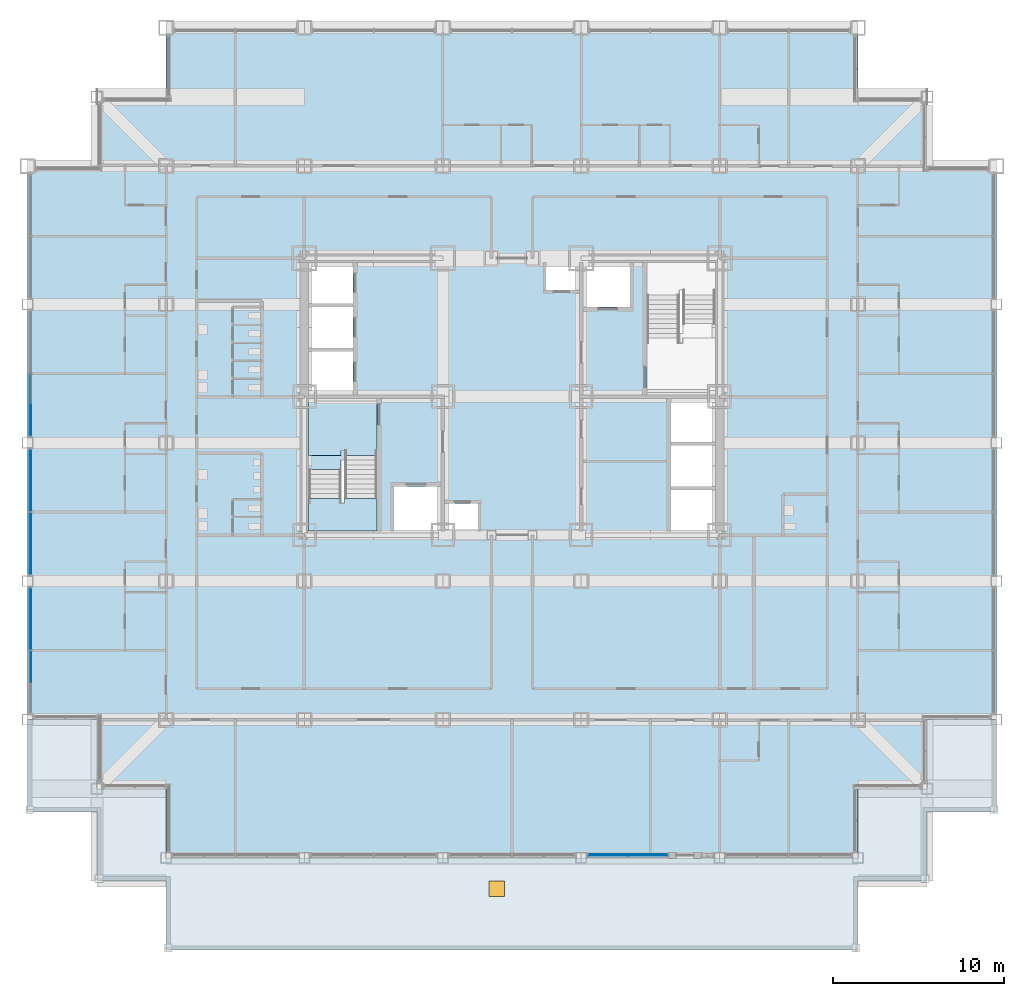
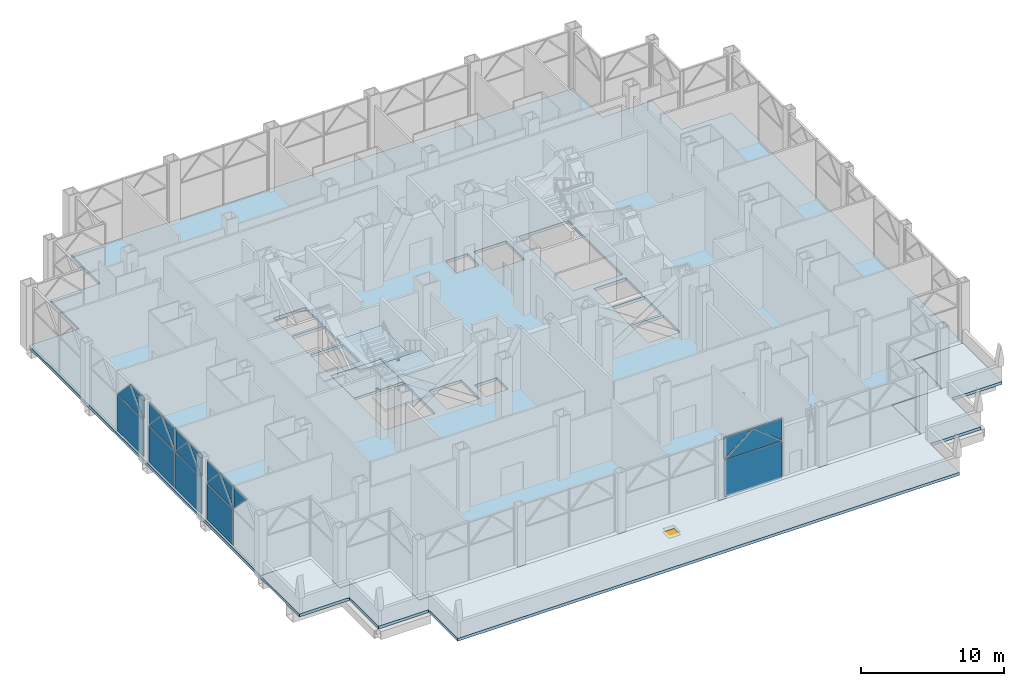
# One storey, part 11 of 26: 20 plates, 6 slabs, 1 window, 1 opening, 5 elements without a shape of their own.
"""IFC4 building model written with IfcOpenShell, lengths in metres."""

import ifcopenshell
import ifcopenshell.guid

model = None  # the IFC model being written
_history = None  # IfcOwnerHistory: only IFC2X3 demands one
_inside = {}  # id of a spatial element -> (the spatial element, [elements in it])
_under = {}  # id of a project, library or spatial element -> (it, [spatial elements below it])
_declared = {}  # id of a project -> (the project, [libraries it declares])
_typed = {}  # id of a type object -> (the type object, [elements of that type])
_made_of = {}  # id of a material, layer set ... -> (it, [elements and type objects made of it])


def new_model(schema):
    """Start an empty IFC model of exactly this schema.

    Asked for "IFC4X3", IfcOpenShell would pick the latest addendum, in which some entities
    have other attributes; the version numbers below select the first issue.
    IFC2X3 requires an IfcOwnerHistory on every rooted entity: one is made here for all.
    """
    global model, _history
    if schema == "IFC4X3":
        model = ifcopenshell.file(schema_version=(4, 3, 0, 0))
    else:
        model = ifcopenshell.file(schema=schema)
    _inside.clear()
    _under.clear()
    _declared.clear()
    _typed.clear()
    _made_of.clear()
    _history = None
    if model.schema == "IFC2X3":
        org = make("IfcOrganization", Name="unknown")
        user = make(
            "IfcPersonAndOrganization",
            ThePerson=make("IfcPerson", FamilyName="unknown"),
            TheOrganization=org,
        )
        app = make(
            "IfcApplication",
            ApplicationDeveloper=org,
            Version="unknown",
            ApplicationFullName="unknown",
            ApplicationIdentifier="unknown",
        )
        _history = make(
            "IfcOwnerHistory",
            OwningUser=user,
            OwningApplication=app,
            ChangeAction="ADDED",
            CreationDate=0,
        )
    return model


def make(cls, **values):
    """One entity of the class cls with the attributes given. An attribute that is None is left unset."""
    return model.create_entity(
        cls, **{name: value for name, value in values.items() if value is not None}
    )


def rooted(cls, **values):
    """An entity with a GlobalId (a new one), such as an element, a storey or a relation."""
    return make(cls, GlobalId=ifcopenshell.guid.new(), OwnerHistory=_history, **values)


def si_unit(unit_type, name, prefix=None):
    """IfcSIUnit, for example si_unit("LENGTHUNIT", "METRE", prefix="MILLI")."""
    return make("IfcSIUnit", UnitType=unit_type, Prefix=prefix, Name=name)


def assignment(units):
    """IfcUnitAssignment: the units of a project."""
    return None if units is None else make("IfcUnitAssignment", Units=units)


def point(xyz):
    """IfcCartesianPoint."""
    return None if xyz is None else make("IfcCartesianPoint", Coordinates=xyz)


def direction(xyz):
    """IfcDirection."""
    return None if xyz is None else make("IfcDirection", DirectionRatios=xyz)


def frame(location, z_axis=None, x_axis=None):
    """IfcAxis2Placement3D, a coordinate frame: its origin and axes. An axis left out is left unset."""
    return make(
        "IfcAxis2Placement3D",
        Location=point(location),
        Axis=direction(z_axis),
        RefDirection=direction(x_axis),
    )


def frame_2d(location, x_axis=None):
    """IfcAxis2Placement2D, a coordinate frame in the plane: its origin and x axis."""
    return make(
        "IfcAxis2Placement2D", Location=point(location), RefDirection=direction(x_axis)
    )


def origin():
    """The frame at (0, 0, 0) with its axes left unset."""
    return frame((0.0, 0.0, 0.0))


def origin_2d():
    """The frame at (0, 0) in the plane with its x axis left unset."""
    return frame_2d((0.0, 0.0))


def place(relative_to, where):
    """IfcLocalPlacement: puts the frame where relative to a parent placement (None: the world)."""
    return make(
        "IfcLocalPlacement", PlacementRelTo=relative_to, RelativePlacement=where
    )


def context(
    kind, dimensions, precision=None, world=None, true_north=None, identifier=None
):
    """IfcGeometricRepresentationContext, for example the 3D "Model" context."""
    return make(
        "IfcGeometricRepresentationContext",
        ContextIdentifier=identifier,
        ContextType=kind,
        CoordinateSpaceDimension=dimensions,
        Precision=precision,
        WorldCoordinateSystem=world,
        TrueNorth=true_north,
    )


def subcontext(parent, identifier, kind, view, scale=None):
    """IfcGeometricRepresentationSubContext, for example "Body" below "Model"."""
    return make(
        "IfcGeometricRepresentationSubContext",
        ContextIdentifier=identifier,
        ContextType=kind,
        ParentContext=parent,
        TargetScale=scale,
        TargetView=view,
    )


def project(units=None, contexts=None):
    """IfcProject with its units and contexts."""
    return rooted(
        "IfcProject",
        Name="project",
        RepresentationContexts=contexts,
        UnitsInContext=assignment(units),
    )


def spatial(cls, under=None, at=None, **own):
    """A site, building, storey or space (cls), placed at a placement, below another one or the project."""
    s = rooted(cls, ObjectPlacement=at, **own)
    if under is not None:
        _under.setdefault(under.id(), (under, []))[1].append(s)
    return s


def polyline(points):
    """IfcPolyline through the points."""
    return make("IfcPolyline", Points=[point(p) for p in points])


def profile(cls, at=None, kind="AREA", **sizes):
    """A parametric profile (cls). Its sizes go by their IFC names, for example OverallWidth=200.0."""
    return make(cls, ProfileType=kind, Position=at, **sizes)


def rectangle(**sizes):
    """IfcRectangleProfileDef."""
    return profile("IfcRectangleProfileDef", **sizes)


def outline(outer, holes=None, kind="AREA"):
    """IfcArbitraryClosedProfileDef: a profile drawn as a closed curve; with holes, ...WithVoids."""
    if holes is None:
        return make("IfcArbitraryClosedProfileDef", ProfileType=kind, OuterCurve=outer)
    return make(
        "IfcArbitraryProfileDefWithVoids",
        ProfileType=kind,
        OuterCurve=outer,
        InnerCurves=holes,
    )


def extrude(swept, where, along, depth):
    """IfcExtrudedAreaSolid: the profile swept, set in the frame where, extruded along a direction by depth."""
    return make(
        "IfcExtrudedAreaSolid",
        SweptArea=swept,
        Position=where,
        ExtrudedDirection=direction(along),
        Depth=depth,
    )


def shape(context_of_items, identifier, shape_type, items):
    """IfcShapeRepresentation: the items that make up one representation, for example the "Body"."""
    return make(
        "IfcShapeRepresentation",
        ContextOfItems=context_of_items,
        RepresentationIdentifier=identifier,
        RepresentationType=shape_type,
        Items=items,
    )


def material(Name=None, Category=None):
    """IfcMaterial."""
    return make("IfcMaterial", Name=Name, Category=Category)


def layer(
    of_material, thickness, ventilated=None, Name=None, Category=None, Priority=None
):
    """IfcMaterialLayer: one layer of a wall or slab, of a material (None: an air gap)."""
    return make(
        "IfcMaterialLayer",
        Material=of_material,
        LayerThickness=thickness,
        IsVentilated=ventilated,
        Name=Name,
        Category=Category,
        Priority=Priority,
    )


def layer_set(layers, Name=None):
    """IfcMaterialLayerSet."""
    return make("IfcMaterialLayerSet", MaterialLayers=layers, LayerSetName=Name)


def made_of(thing, what):
    """Note that an element or type object is made of a material, layer set ...; save() writes the relation."""
    if what is not None:
        _made_of.setdefault(what.id(), (what, []))[1].append(thing)
    return thing


def type_object(cls, material=None, **own):
    """A type object (cls), such as IfcWallType, which elements share."""
    return made_of(rooted(cls, **own), material)


def element(
    cls,
    number,
    at=None,
    inside=None,
    cuts=None,
    type_object=None,
    material=None,
    context=None,
    identifier="Body",
    shape_type=None,
    held_by="IfcProductDefinitionShape",
    body=None,
    shapes=None,
    **own,
):
    """One element of the class cls, such as IfcWall. Its Tag is "e" and its number.

    at: its placement. inside: the storey or other place that contains it. cuts: it is an
    opening in that element (IfcRelVoidsElement). A single representation is given by context,
    identifier, shape_type and body (its items); several are given by shapes. held_by: the class
    of the entity that holds the representations. save() writes the other relations.
    """
    e = rooted(cls, Tag="e%d" % number, ObjectPlacement=at, **own)
    if body is not None:
        shapes = [shape(context, identifier, shape_type, body)]
    if shapes is not None:
        e.Representation = make(held_by, Representations=shapes)
    if inside is not None:
        _inside.setdefault(inside.id(), (inside, []))[1].append(e)
    if cuts is not None:
        rooted(
            "IfcRelVoidsElement", RelatingBuildingElement=cuts, RelatedOpeningElement=e
        )
    if type_object is not None:
        _typed.setdefault(type_object.id(), (type_object, []))[1].append(e)
    return made_of(e, material)


def fill(opening, filler):
    """IfcRelFillsElement: the door or window that sits in an opening."""
    return rooted(
        "IfcRelFillsElement",
        RelatingOpeningElement=opening,
        RelatedBuildingElement=filler,
    )


def aggregate(whole, parts):
    """IfcRelAggregates: a whole, such as a stair, and the parts it consists of."""
    return rooted("IfcRelAggregates", RelatingObject=whole, RelatedObjects=parts)


def save(model, path):
    """Write the relations noted so far, then the file.

    IfcRelAggregates (storeys below a building ...), IfcRelContainedInSpatialStructure (elements
    in a storey), IfcRelDefinesByType, IfcRelAssociatesMaterial and IfcRelDeclares: one each for
    every whole, place, type object, material and project.
    """
    for whole, parts in _under.values():
        aggregate(whole, parts)
    for where, things in _inside.values():
        rooted(
            "IfcRelContainedInSpatialStructure",
            RelatedElements=things,
            RelatingStructure=where,
        )
    for kind, things in _typed.values():
        rooted("IfcRelDefinesByType", RelatedObjects=things, RelatingType=kind)
    for what, things in _made_of.values():
        rooted("IfcRelAssociatesMaterial", RelatedObjects=things, RelatingMaterial=what)
    for by, libraries in _declared.values():
        rooted("IfcRelDeclares", RelatingContext=by, RelatedDefinitions=libraries)
    model.write(path)


model = new_model("IFC4")

# Units and contexts
model_context = context("Model", 3, precision=1e-05, world=origin(), true_north=direction((0.0, 1.0)))
body_context = subcontext(model_context, "Body", "Model", "MODEL_VIEW")
ifc_project = project(units=[si_unit("LENGTHUNIT", "METRE"), si_unit("AREAUNIT", "SQUARE_METRE"), si_unit("VOLUMEUNIT", "CUBIC_METRE"), si_unit("PLANEANGLEUNIT", "RADIAN"), si_unit("MASSUNIT", "GRAM", prefix="KILO")], contexts=[model_context])

# Site, building, storey
site_placement = place(None, origin())
site = spatial("IfcSite", under=ifc_project, at=site_placement, CompositionType="ELEMENT")
building_placement = place(site_placement, origin())
building = spatial("IfcBuilding", under=site, at=building_placement, Name="Kopane Lantern Tower", CompositionType="ELEMENT")
storey_placement = place(building_placement, frame((0.0, 0.0, 98.0)))
storey = spatial("IfcBuildingStorey", under=building, at=storey_placement, Name="L24", CompositionType="ELEMENT", Elevation=98.0)

# Curtain wall, plates
ifc_material_1 = material(Name="Aluminium and clear glass", Category="aluminium")
curtain_wall_type = type_object("IfcCurtainWallType", Name="CURTAIN WALL CW3 SKY LOBBY", PredefinedType="USERDEFINED", material=ifc_material_1)
curtain_wall_1_placement = place(storey_placement, origin())
curtain_wall_1 = element("IfcCurtainWall", 1, at=curtain_wall_1_placement, inside=storey, type_object=curtain_wall_type, Name="Curtain wall CW3 S L24", ObjectType="CURTAIN WALL", PredefinedType="USERDEFINED")
ifc_material_2 = material(Name="Insulated clear glass unit", Category="glass")
ifc_layer_1 = layer(ifc_material_2, 0.033935546875)
ifc_layer_set_1 = layer_set([ifc_layer_1], Name="CURTAIN PANEL CW3-P 34")
plate_type = type_object("IfcPlateType", Name="CURTAIN PANEL CW3-P 34", PredefinedType="CURTAIN_PANEL", material=ifc_layer_set_1)
plate_1_placement = place(storey_placement, frame((35.12744140625, 5.550048828125, 0.070068359375), z_axis=(0.0, 0.0, 1.0), x_axis=(1.0, 0.0, 0.0)))
plate_1 = element("IfcPlate", 2, at=plate_1_placement, type_object=plate_type, Name="CW3 panel 1.1", PredefinedType="CURTAIN_PANEL", context=body_context, shape_type="SweptSolid", body=[
    extrude(rectangle(XDim=4.655029296875, YDim=0.033935546875, at=origin_2d()), origin(), (0.0, 0.0, 1.0), 3.0849609375),
])
plate_2_placement = place(storey_placement, frame((32.800048828125, 5.550048828125, 3.22509765625), z_axis=(0.0, 0.0, 1.0), x_axis=(1.0, 0.0, 0.0)))
plate_2 = element("IfcPlate", 3, at=plate_2_placement, type_object=plate_type, Name="CW3 lancet panel 1", PredefinedType="CURTAIN_PANEL", context=body_context, shape_type="SweptSolid", body=[
    extrude(outline(polyline([(0.0, 0.0), (4.655029296875, 0.0), (4.655029296875, 0.0009765625), (2.327392578125, 1.875732421875), (0.0, 0.0009765625), (0.0, 0.0)])), frame((0.0, 0.01708984375, 0.0), z_axis=(0.0, -1.0, 0.0), x_axis=(1.0, 0.0, 0.0)), (0.0, 0.0, 1.0), 0.033935546875),
])
plate_3_placement = place(storey_placement, frame((32.800048828125, 5.5859375, 5.1201171875), z_axis=(0.0, 0.0, 1.0), x_axis=(1.0, 0.0, 0.0)))
plate_3 = element("IfcPlate", 4, at=plate_3_placement, type_object=plate_type, Name="CW3 spandrel panel 1L", PredefinedType="CURTAIN_PANEL", context=body_context, shape_type="SweptSolid", body=[
    extrude(outline(polyline([(0.0, 0.0), (2.327392578125, 0.0), (2.327392578125, -0.001220703125), (0.0, -1.840576171875), (0.0, 0.0)])), frame((0.0, 0.01708984375, 0.0), z_axis=(0.0, -1.0, 0.0), x_axis=(1.0, 0.0, 0.0)), (0.0, 0.0, 1.0), 0.033935546875),
])
plate_4_placement = place(storey_placement, frame((37.455078125, 5.5859375, 5.1201171875), z_axis=(0.0, 0.0, 1.0), x_axis=(-1.0, 0.0, 0.0)))
plate_4 = element("IfcPlate", 5, at=plate_4_placement, type_object=plate_type, Name="CW3 spandrel panel 1R", PredefinedType="CURTAIN_PANEL", context=body_context, shape_type="SweptSolid", body=[
    extrude(outline(polyline([(0.0, 0.0), (2.32763671875, 0.0), (2.327392578125, -0.001220703125), (0.0, -1.840576171875), (0.0, 0.0)])), frame((0.0, 0.01708984375, 0.0), z_axis=(0.0, -1.0, 0.0), x_axis=(1.0, 0.0, 0.0)), (0.0, 0.0, 1.0), 0.033935546875),
])
aggregate(curtain_wall_1, [plate_1, plate_2, plate_3, plate_4])

curtain_wall_2_placement = place(storey_placement, origin())
curtain_wall_2 = element("IfcCurtainWall", 6, at=curtain_wall_2_placement, inside=storey, type_object=curtain_wall_type, Name="Curtain wall CW3 W L24", ObjectType="CURTAIN WALL", PredefinedType="USERDEFINED")
plate_5_placement = place(storey_placement, frame((0.14990234375, 31.907470703125, 0.070068359375), z_axis=(0.0, 0.0, 1.0), x_axis=(0.0, -1.0, 0.0)))
plate_5 = element("IfcPlate", 7, at=plate_5_placement, type_object=plate_type, Name="CW3 panel 2.1", PredefinedType="CURTAIN_PANEL", context=body_context, shape_type="SweptSolid", body=[
    extrude(rectangle(XDim=3.614990234375, YDim=0.033935546875, at=origin_2d()), origin(), (0.0, 0.0, 1.0), 3.0849609375),
])
plate_6_placement = place(storey_placement, frame((0.14990234375, 33.715087890625, 3.22509765625), z_axis=(0.0, 0.0, 1.0), x_axis=(0.0, -1.0, 0.0)))
plate_6 = element("IfcPlate", 8, at=plate_6_placement, type_object=plate_type, Name="CW3 lancet panel 2", PredefinedType="CURTAIN_PANEL", context=body_context, shape_type="SweptSolid", body=[
    extrude(outline(polyline([(0.0, 0.0), (3.614990234375, 0.0), (3.614990234375, 0.0009765625), (1.8076171875, 1.89990234375), (0.0, 0.0009765625), (0.0, 0.0)])), frame((0.0, 0.01708984375, 0.0), z_axis=(0.0, -1.0, 0.0), x_axis=(1.0, 0.0, 0.0)), (0.0, 0.0, 1.0), 0.033935546875),
])
plate_7_placement = place(storey_placement, frame((0.18603515625, 30.10009765625, 5.1201171875), z_axis=(0.0, 0.0, 1.0), x_axis=(0.0, 1.0, 0.0)))
plate_7 = element("IfcPlate", 9, at=plate_7_placement, type_object=plate_type, Name="CW3 spandrel panel 2R", PredefinedType="CURTAIN_PANEL", context=body_context, shape_type="SweptSolid", body=[
    extrude(outline(polyline([(0.0, 0.0), (1.807373046875, 0.0), (1.8076171875, -0.001220703125), (0.0, -1.846923828125), (0.0, 0.0)])), frame((0.0, 0.01708984375, 0.0), z_axis=(0.0, -1.0, 0.0), x_axis=(1.0, 0.0, 0.0)), (0.0, 0.0, 1.0), 0.033935546875),
])
aggregate(curtain_wall_2, [plate_5, plate_6, plate_7])

curtain_wall_3_placement = place(storey_placement, origin())
curtain_wall_3 = element("IfcCurtainWall", 10, at=curtain_wall_3_placement, inside=storey, type_object=curtain_wall_type, Name="Curtain wall CW3 W L24", ObjectType="CURTAIN WALL", PredefinedType="USERDEFINED")
plate_8_placement = place(storey_placement, frame((0.14990234375, 27.492431640625, 0.070068359375), z_axis=(0.0, 0.0, 1.0), x_axis=(0.0, -1.0, 0.0)))
plate_8 = element("IfcPlate", 11, at=plate_8_placement, type_object=plate_type, Name="CW3 panel 1.1", PredefinedType="CURTAIN_PANEL", context=body_context, shape_type="SweptSolid", body=[
    extrude(rectangle(XDim=3.614990234375, YDim=0.033935546875, at=origin_2d()), origin(), (0.0, 0.0, 1.0), 3.0849609375),
])
plate_9_placement = place(storey_placement, frame((0.14990234375, 23.8076171875, 0.070068359375), z_axis=(0.0, 0.0, 1.0), x_axis=(0.0, -1.0, 0.0)))
plate_9 = element("IfcPlate", 12, at=plate_9_placement, type_object=plate_type, Name="CW3 panel 2.1", PredefinedType="CURTAIN_PANEL", context=body_context, shape_type="SweptSolid", body=[
    extrude(rectangle(XDim=3.614990234375, YDim=0.033935546875, at=origin_2d()), origin(), (0.0, 0.0, 1.0), 3.0849609375),
])
plate_10_placement = place(storey_placement, frame((0.14990234375, 29.300048828125, 3.22509765625), z_axis=(0.0, 0.0, 1.0), x_axis=(0.0, -1.0, 0.0)))
plate_10 = element("IfcPlate", 13, at=plate_10_placement, type_object=plate_type, Name="CW3 lancet panel 1", PredefinedType="CURTAIN_PANEL", context=body_context, shape_type="SweptSolid", body=[
    extrude(outline(polyline([(0.0, 0.0), (3.614990234375, 0.0), (3.614990234375, 0.0009765625), (1.8076171875, 1.89990234375), (0.0, 0.0009765625), (0.0, 0.0)])), frame((0.0, 0.01708984375, 0.0), z_axis=(0.0, -1.0, 0.0), x_axis=(1.0, 0.0, 0.0)), (0.0, 0.0, 1.0), 0.033935546875),
])
plate_11_placement = place(storey_placement, frame((0.18603515625, 29.300048828125, 5.1201171875), z_axis=(0.0, 0.0, 1.0), x_axis=(0.0, -1.0, 0.0)))
plate_11 = element("IfcPlate", 14, at=plate_11_placement, type_object=plate_type, Name="CW3 spandrel panel 1L", PredefinedType="CURTAIN_PANEL", context=body_context, shape_type="SweptSolid", body=[
    extrude(outline(polyline([(0.0, 0.0), (1.8076171875, 0.0), (1.8076171875, -0.001220703125), (0.0, -1.846923828125), (0.0, 0.0)])), frame((0.0, 0.01708984375, 0.0), z_axis=(0.0, -1.0, 0.0), x_axis=(1.0, 0.0, 0.0)), (0.0, 0.0, 1.0), 0.033935546875),
])
plate_12_placement = place(storey_placement, frame((0.18603515625, 25.68505859375, 5.1201171875), z_axis=(0.0, 0.0, 1.0), x_axis=(0.0, 1.0, 0.0)))
plate_12 = element("IfcPlate", 15, at=plate_12_placement, type_object=plate_type, Name="CW3 spandrel panel 1R", PredefinedType="CURTAIN_PANEL", context=body_context, shape_type="SweptSolid", body=[
    extrude(outline(polyline([(0.0, 0.0), (1.807373046875, 0.0), (1.8076171875, -0.001220703125), (0.0, -1.846923828125), (0.0, 0.0)])), frame((0.0, 0.01708984375, 0.0), z_axis=(0.0, -1.0, 0.0), x_axis=(1.0, 0.0, 0.0)), (0.0, 0.0, 1.0), 0.033935546875),
])
plate_13_placement = place(storey_placement, frame((0.14990234375, 25.614990234375, 3.22509765625), z_axis=(0.0, 0.0, 1.0), x_axis=(0.0, -1.0, 0.0)))
plate_13 = element("IfcPlate", 16, at=plate_13_placement, type_object=plate_type, Name="CW3 lancet panel 2", PredefinedType="CURTAIN_PANEL", context=body_context, shape_type="SweptSolid", body=[
    extrude(outline(polyline([(0.0, 0.0), (3.614990234375, 0.0), (3.614990234375, 0.0009765625), (1.8076171875, 1.89990234375), (0.0, 0.0009765625), (0.0, 0.0)])), frame((0.0, 0.01708984375, 0.0), z_axis=(0.0, -1.0, 0.0), x_axis=(1.0, 0.0, 0.0)), (0.0, 0.0, 1.0), 0.033935546875),
])
plate_14_placement = place(storey_placement, frame((0.18603515625, 25.614990234375, 5.1201171875), z_axis=(0.0, 0.0, 1.0), x_axis=(0.0, -1.0, 0.0)))
plate_14 = element("IfcPlate", 17, at=plate_14_placement, type_object=plate_type, Name="CW3 spandrel panel 2L", PredefinedType="CURTAIN_PANEL", context=body_context, shape_type="SweptSolid", body=[
    extrude(outline(polyline([(0.0, 0.0), (1.807373046875, 0.0), (1.8076171875, -0.001220703125), (0.0, -1.846923828125), (0.0, 0.0)])), frame((0.0, 0.01708984375, 0.0), z_axis=(0.0, -1.0, 0.0), x_axis=(1.0, 0.0, 0.0)), (0.0, 0.0, 1.0), 0.033935546875),
])
plate_15_placement = place(storey_placement, frame((0.18603515625, 22.0, 5.1201171875), z_axis=(0.0, 0.0, 1.0), x_axis=(0.0, 1.0, 0.0)))
plate_15 = element("IfcPlate", 18, at=plate_15_placement, type_object=plate_type, Name="CW3 spandrel panel 2R", PredefinedType="CURTAIN_PANEL", context=body_context, shape_type="SweptSolid", body=[
    extrude(outline(polyline([(0.0, 0.0), (1.8076171875, 0.0), (1.8076171875, -0.001220703125), (0.0, -1.846923828125), (0.0, 0.0)])), frame((0.0, 0.01708984375, 0.0), z_axis=(0.0, -1.0, 0.0), x_axis=(1.0, 0.0, 0.0)), (0.0, 0.0, 1.0), 0.033935546875),
])
aggregate(curtain_wall_3, [plate_8, plate_9, plate_10, plate_11, plate_12, plate_13, plate_14, plate_15])

curtain_wall_4_placement = place(storey_placement, origin())
curtain_wall_4 = element("IfcCurtainWall", 19, at=curtain_wall_4_placement, inside=storey, type_object=curtain_wall_type, Name="Curtain wall CW3 W L24", ObjectType="CURTAIN WALL", PredefinedType="USERDEFINED")
plate_16_placement = place(storey_placement, frame((0.14990234375, 19.392578125, 0.070068359375), z_axis=(0.0, 0.0, 1.0), x_axis=(0.0, -1.0, 0.0)))
plate_16 = element("IfcPlate", 20, at=plate_16_placement, type_object=plate_type, Name="CW3 panel 1.1", PredefinedType="CURTAIN_PANEL", context=body_context, shape_type="SweptSolid", body=[
    extrude(rectangle(XDim=3.614990234375, YDim=0.033935546875, at=origin_2d()), origin(), (0.0, 0.0, 1.0), 3.0849609375),
])
plate_17_placement = place(storey_placement, frame((0.14990234375, 21.199951171875, 3.22509765625), z_axis=(0.0, 0.0, 1.0), x_axis=(0.0, -1.0, 0.0)))
plate_17 = element("IfcPlate", 21, at=plate_17_placement, type_object=plate_type, Name="CW3 lancet panel 1", PredefinedType="CURTAIN_PANEL", context=body_context, shape_type="SweptSolid", body=[
    extrude(outline(polyline([(0.0, 0.0), (3.614990234375, 0.0), (3.614990234375, 0.0009765625), (1.8076171875, 1.89990234375), (0.0, 0.0009765625), (0.0, 0.0)])), frame((0.0, 0.01708984375, 0.0), z_axis=(0.0, -1.0, 0.0), x_axis=(1.0, 0.0, 0.0)), (0.0, 0.0, 1.0), 0.033935546875),
])
plate_18_placement = place(storey_placement, frame((0.18603515625, 21.199951171875, 5.1201171875), z_axis=(0.0, 0.0, 1.0), x_axis=(0.0, -1.0, 0.0)))
plate_18 = element("IfcPlate", 22, at=plate_18_placement, type_object=plate_type, Name="CW3 spandrel panel 1L", PredefinedType="CURTAIN_PANEL", context=body_context, shape_type="SweptSolid", body=[
    extrude(outline(polyline([(0.0, 0.0), (1.807373046875, 0.0), (1.8076171875, -0.001220703125), (0.0, -1.846923828125), (0.0, 0.0)])), frame((0.0, 0.01708984375, 0.0), z_axis=(0.0, -1.0, 0.0), x_axis=(1.0, 0.0, 0.0)), (0.0, 0.0, 1.0), 0.033935546875),
])
plate_19_placement = place(storey_placement, frame((0.18603515625, 17.5849609375, 5.1201171875), z_axis=(0.0, 0.0, 1.0), x_axis=(0.0, 1.0, 0.0)))
plate_19 = element("IfcPlate", 23, at=plate_19_placement, type_object=plate_type, Name="CW3 spandrel panel 1R", PredefinedType="CURTAIN_PANEL", context=body_context, shape_type="SweptSolid", body=[
    extrude(outline(polyline([(0.0, 0.0), (1.8076171875, 0.0), (1.8076171875, -0.001220703125), (0.0, -1.846923828125), (0.0, 0.0)])), frame((0.0, 0.01708984375, 0.0), z_axis=(0.0, -1.0, 0.0), x_axis=(1.0, 0.0, 0.0)), (0.0, 0.0, 1.0), 0.033935546875),
])
plate_20_placement = place(storey_placement, frame((0.18603515625, 17.514892578125, 5.1201171875), z_axis=(0.0, 0.0, 1.0), x_axis=(0.0, -1.0, 0.0)))
plate_20 = element("IfcPlate", 24, at=plate_20_placement, type_object=plate_type, Name="CW3 spandrel panel 2L", PredefinedType="CURTAIN_PANEL", context=body_context, shape_type="SweptSolid", body=[
    extrude(outline(polyline([(0.0, 0.0), (1.807373046875, 0.0), (1.8076171875, -0.001220703125), (0.0, -1.846923828125), (0.0, 0.0)])), frame((0.0, 0.01708984375, 0.0), z_axis=(0.0, -1.0, 0.0), x_axis=(1.0, 0.0, 0.0)), (0.0, 0.0, 1.0), 0.033935546875),
])
aggregate(curtain_wall_4, [plate_16, plate_17, plate_18, plate_19, plate_20])

# Slab
ifc_material_3 = material(Name="Concrete C40/50", Category="concrete")
ifc_layer_2 = layer(ifc_material_3, 0.25)
ifc_layer_set_2 = layer_set([ifc_layer_2], Name="SLAB 250 COMPOSITE")
slab_type_1 = type_object("IfcSlabType", Name="SLAB 250 COMPOSITE", PredefinedType="FLOOR", material=ifc_layer_set_2)
slab_1_placement = place(storey_placement, frame((0.0, 0.0, -0.25)))
element("IfcSlab", 25, at=slab_1_placement, inside=storey, type_object=slab_type_1, Name="Floor slab L24", PredefinedType="FLOOR", context=body_context, shape_type="SweptSolid", body=[
    extrude(outline(polyline([(8.10009765625, 5.39990234375), (48.60009765625, 5.39990234375), (48.60009765625, 9.449951171875), (52.64990234375, 9.449951171875), (52.64990234375, 13.5), (56.699951171875, 13.5), (56.699951171875, 45.89990234375), (52.64990234375, 45.89990234375), (52.64990234375, 49.949951171875), (48.60009765625, 49.949951171875), (48.60009765625, 54.0), (8.10009765625, 54.0), (8.10009765625, 49.949951171875), (4.050048828125, 49.949951171875), (4.050048828125, 45.89990234375), (0.0, 45.89990234375), (0.0, 13.5), (4.050048828125, 13.5), (4.050048828125, 9.449951171875), (8.10009765625, 9.449951171875), (8.10009765625, 5.39990234375)]), holes=[polyline([(16.449951171875, 24.550048828125), (20.449951171875, 24.550048828125), (20.449951171875, 32.14990234375), (16.449951171875, 32.14990234375), (16.449951171875, 24.550048828125)]), polyline([(36.25, 32.64990234375), (40.25, 32.64990234375), (40.25, 40.25), (36.25, 40.25), (36.25, 32.64990234375)]), polyline([(16.449951171875, 32.64990234375), (19.050048828125, 32.64990234375), (19.050048828125, 35.050048828125), (16.449951171875, 35.050048828125), (16.449951171875, 32.64990234375)]), polyline([(16.449951171875, 35.25), (19.050048828125, 35.25), (19.050048828125, 37.64990234375), (16.449951171875, 37.64990234375), (16.449951171875, 35.25)]), polyline([(16.449951171875, 37.85009765625), (19.050048828125, 37.85009765625), (19.050048828125, 40.25), (16.449951171875, 40.25), (16.449951171875, 37.85009765625)]), polyline([(37.64990234375, 24.550048828125), (40.25, 24.550048828125), (40.25, 26.949951171875), (37.64990234375, 26.949951171875), (37.64990234375, 24.550048828125)]), polyline([(37.64990234375, 27.14990234375), (40.25, 27.14990234375), (40.25, 29.550048828125), (37.64990234375, 29.550048828125), (37.64990234375, 27.14990234375)]), polyline([(37.64990234375, 29.75), (40.25, 29.75), (40.25, 32.14990234375), (37.64990234375, 32.14990234375), (37.64990234375, 29.75)]), polyline([(21.449951171875, 24.550048828125), (24.050048828125, 24.550048828125), (24.050048828125, 27.14990234375), (21.449951171875, 27.14990234375), (21.449951171875, 24.550048828125)]), polyline([(32.64990234375, 37.64990234375), (35.25, 37.64990234375), (35.25, 40.25), (32.64990234375, 40.25), (32.64990234375, 37.64990234375)]), polyline([(24.550048828125, 24.550048828125), (26.35009765625, 24.550048828125), (26.35009765625, 26.14990234375), (24.550048828125, 26.14990234375), (24.550048828125, 24.550048828125)]), polyline([(30.35009765625, 38.64990234375), (32.14990234375, 38.64990234375), (32.14990234375, 40.25), (30.35009765625, 40.25), (30.35009765625, 38.64990234375)])]), origin(), (0.0, 0.0, 1.0), 0.25),
])

# Slab, opening, window
ifc_material_4 = material(Name="Concrete C40/50", Category="concrete")
ifc_layer_3 = layer(ifc_material_4, 0.25)
ifc_layer_set_3 = layer_set([ifc_layer_3], Name="SLAB 250 ROOF")
slab_type_2 = type_object("IfcSlabType", Name="SLAB 250 ROOF", PredefinedType="ROOF", material=ifc_layer_set_3)
slab_2_placement = place(storey_placement, frame((0.0, 0.0, -0.25)))
slab_2 = element("IfcSlab", 26, at=slab_2_placement, inside=storey, type_object=slab_type_2, Name="Maintenance roof slab L24", PredefinedType="ROOF", context=body_context, shape_type="SweptSolid", body=[
    extrude(outline(polyline([(56.699951171875, 8.10009765625), (52.64990234375, 8.10009765625), (52.64990234375, 4.050048828125), (48.60009765625, 4.050048828125), (48.60009765625, 0.0), (8.10009765625, 0.0), (8.10009765625, 4.050048828125), (4.050048828125, 4.050048828125), (4.050048828125, 8.10009765625), (0.0, 8.10009765625), (0.0, 13.5), (4.050048828125, 13.5), (4.050048828125, 9.449951171875), (8.10009765625, 9.449951171875), (8.10009765625, 5.39990234375), (48.60009765625, 5.39990234375), (48.60009765625, 9.449951171875), (52.64990234375, 9.449951171875), (52.64990234375, 13.5), (56.699951171875, 13.5), (56.699951171875, 8.10009765625)])), origin(), (0.0, 0.0, 1.0), 0.25),
])
opening_placement = place(slab_2_placement, frame((27.449951171875, 3.60009765625, 0.0)))
opening = element("IfcOpeningElement", 27, at=opening_placement, cuts=slab_2, Name="Opening RH1", PredefinedType="OPENING", context=body_context, shape_type="SweptSolid", body=[
    extrude(rectangle(XDim=0.89990234375, YDim=0.89990234375, at=origin_2d()), origin(), (0.0, 0.0, 1.0), 0.25),
])
ifc_material_5 = material(Name="Insulated aluminium", Category="aluminium")
window_type = type_object("IfcWindowType", Name="ROOF ACCESS HATCH RH1 900x900", PartitioningType="SINGLE_PANEL", PredefinedType="SKYLIGHT", material=ifc_material_5)
window_placement = place(opening_placement, frame((0.0, 0.0, 0.199951171875)))
window = element("IfcWindow", 28, at=window_placement, inside=storey, type_object=window_type, Name="Roof access hatch L24", OverallHeight=0.89990234375, OverallWidth=0.89990234375, PartitioningType="SINGLE_PANEL", PredefinedType="SKYLIGHT", context=body_context, shape_type="SweptSolid", body=[
    extrude(rectangle(XDim=0.89990234375, YDim=0.89990234375, at=origin_2d()), origin(), (0.0, 0.0, 1.0), 0.050048828125),
])
fill(opening, window)

# Stair, slabs
ifc_material_6 = material(Name="Steel S355JR", Category="steel")
stair_type = type_object("IfcStairType", Name="EXIT STAIR 1900 HALF TURN", PredefinedType="HALF_TURN_STAIR", material=ifc_material_6)
stair_placement = place(storey_placement, origin())
stair = element("IfcStair", 29, at=stair_placement, inside=storey, type_object=stair_type, Name="Exit stair ST1 L24", PredefinedType="HALF_TURN_STAIR")
ifc_material_7 = material(Name="Concrete C40/50", Category="concrete")
ifc_layer_4 = layer(ifc_material_7, 0.199951171875)
ifc_layer_set_4 = layer_set([ifc_layer_4], Name="STAIR LANDING 200")
slab_type_3 = type_object("IfcSlabType", Name="STAIR LANDING 200", PredefinedType="LANDING", material=ifc_layer_set_4)
slab_3_placement = place(storey_placement, frame((0.0, 0.0, -0.199951171875)))
slab_3 = element("IfcSlab", 30, at=slab_3_placement, type_object=slab_type_3, Name="ST1 landing 1", PredefinedType="LANDING", context=body_context, shape_type="SweptSolid", body=[
    extrude(outline(polyline([(18.35009765625, 29.25), (18.550048828125, 29.25), (18.550048828125, 28.969970703125), (20.449951171875, 28.969970703125), (20.449951171875, 32.14990234375), (16.449951171875, 32.14990234375), (16.449951171875, 28.969970703125), (18.35009765625, 28.969970703125), (18.35009765625, 29.25)])), origin(), (0.0, 0.0, 1.0), 0.199951171875),
])
slab_4_placement = place(storey_placement, frame((0.0, 0.0, 1.487548828125)))
slab_4 = element("IfcSlab", 31, at=slab_4_placement, type_object=slab_type_3, Name="ST1 landing 2", PredefinedType="LANDING", context=body_context, shape_type="SweptSolid", body=[
    extrude(outline(polyline([(20.449951171875, 26.449951171875), (18.550048828125, 26.449951171875), (18.550048828125, 26.169921875), (18.35009765625, 26.169921875), (18.35009765625, 26.449951171875), (16.449951171875, 26.449951171875), (16.449951171875, 24.550048828125), (20.449951171875, 24.550048828125), (20.449951171875, 26.449951171875)])), origin(), (0.0, 0.0, 1.0), 0.199951171875),
])
slab_5_placement = place(storey_placement, frame((0.0, 0.0, 2.668701171875)))
slab_5 = element("IfcSlab", 32, at=slab_5_placement, type_object=slab_type_3, Name="ST1 landing 3", PredefinedType="LANDING", context=body_context, shape_type="SweptSolid", body=[
    extrude(outline(polyline([(18.35009765625, 28.68994140625), (18.550048828125, 28.68994140625), (18.550048828125, 28.1298828125), (20.449951171875, 28.1298828125), (20.449951171875, 32.14990234375), (16.449951171875, 32.14990234375), (16.449951171875, 28.1298828125), (18.35009765625, 28.1298828125), (18.35009765625, 28.68994140625)])), origin(), (0.0, 0.0, 1.0), 0.2001953125),
])
slab_6_placement = place(storey_placement, frame((0.0, 0.0, 4.018798828125)))
slab_6 = element("IfcSlab", 33, at=slab_6_placement, type_object=slab_type_3, Name="ST1 landing 4", PredefinedType="LANDING", context=body_context, shape_type="SweptSolid", body=[
    extrude(outline(polyline([(20.449951171875, 26.449951171875), (18.550048828125, 26.449951171875), (18.550048828125, 26.169921875), (18.35009765625, 26.169921875), (18.35009765625, 26.449951171875), (16.449951171875, 26.449951171875), (16.449951171875, 24.550048828125), (20.449951171875, 24.550048828125), (20.449951171875, 26.449951171875)])), origin(), (0.0, 0.0, 1.0), 0.199951171875),
])
aggregate(stair, [slab_3, slab_4, slab_5, slab_6])

save(model, "model.ifc")
